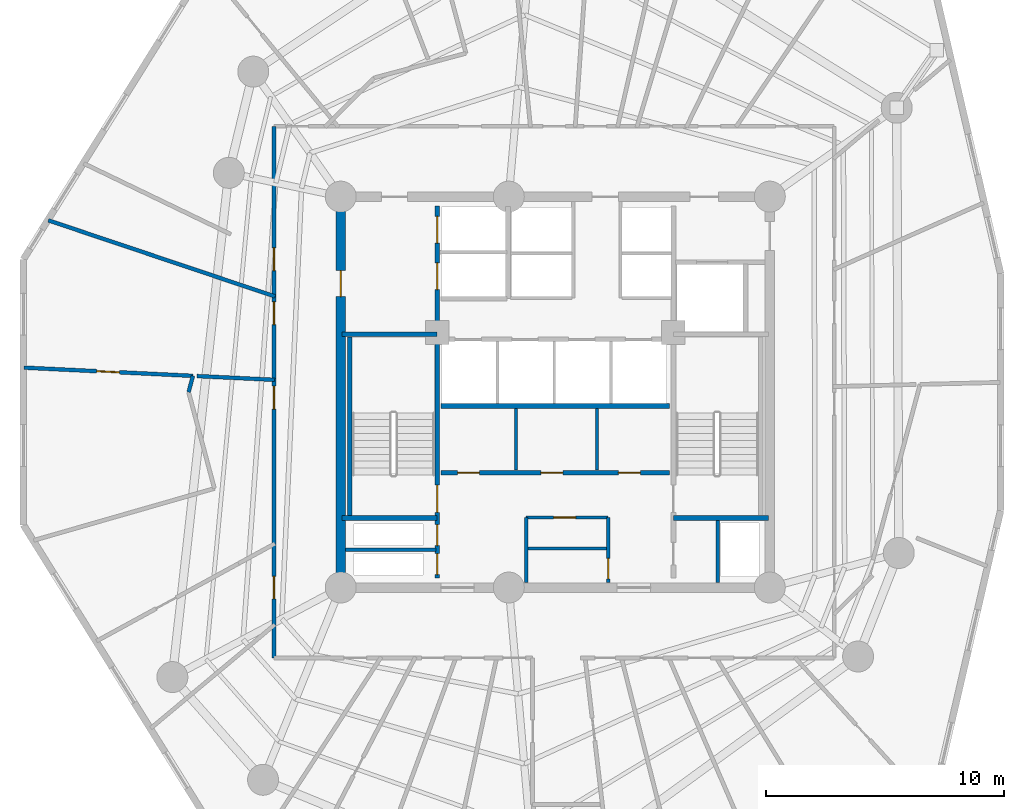
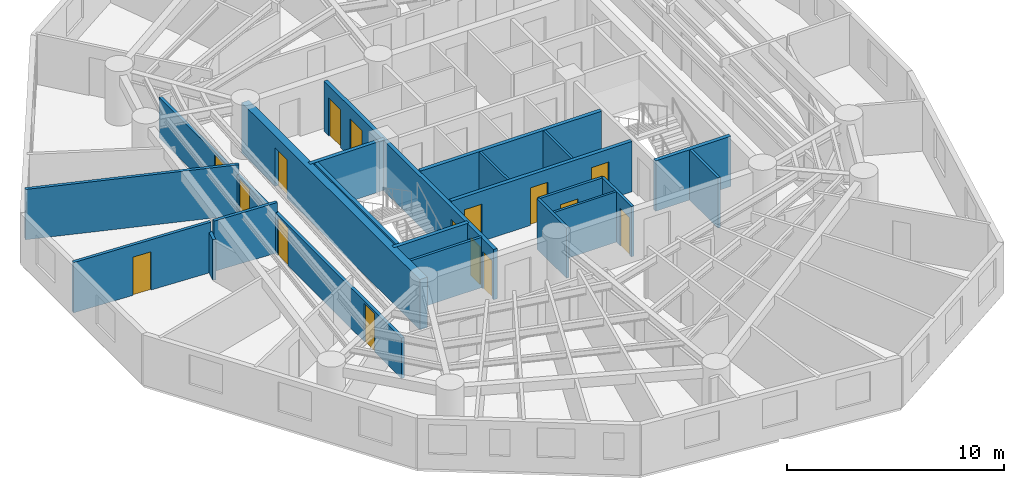
# One storey, part 4 of 8: 21 walls, 16 doors, 16 openings.
"""IFC4 building model written with IfcOpenShell, lengths in metres."""

from ifc_helpers import new_model, si_unit, direction, frame, frame_2d, origin, origin_with_axes, place, context, subcontext, project, spatial, rectangle, extrude, source, transform, mapped, material, layer, layer_set, type_object, element, fill, save


model = new_model("IFC4")

# Units and contexts
model_context = context("Model", 3, precision=1e-05, world=origin(), true_north=direction((0.0, 1.0)))
body_context = subcontext(model_context, "Body", "Model", "MODEL_VIEW")
ifc_project = project(units=[si_unit("LENGTHUNIT", "METRE"), si_unit("AREAUNIT", "SQUARE_METRE"), si_unit("VOLUMEUNIT", "CUBIC_METRE"), si_unit("PLANEANGLEUNIT", "RADIAN"), si_unit("MASSUNIT", "GRAM", prefix="KILO")], contexts=[model_context])

# Site, building, storey
site_placement = place(None, origin())
site = spatial("IfcSite", under=ifc_project, at=site_placement, CompositionType="ELEMENT")
building_placement = place(site_placement, origin())
building = spatial("IfcBuilding", under=site, at=building_placement, Name="Karkom Vertical University and Central Library", CompositionType="ELEMENT")
storey_placement = place(building_placement, frame((0.0, 0.0, 187.050048828125)))
storey = spatial("IfcBuildingStorey", under=building, at=storey_placement, Name="L54", CompositionType="ELEMENT", Elevation=187.050048828125)

# Wall, openings, doors
ifc_material_1 = material(Name="Insulated metal-stud drywall 160mm", Category="gypsum")
ifc_layer_1 = layer(ifc_material_1, 0.159912109375)
ifc_layer_set_1 = layer_set([ifc_layer_1], Name="Insulated metal-stud drywall 160mm")
wall_type_1 = type_object("IfcWallType", Name="INT-WL-COR-160", PredefinedType="PARTITIONING", material=ifc_layer_set_1)
wall_1_placement = place(storey_placement, frame((16.699951171875, 15.35009765625, 0.0), z_axis=(0.0, 0.0, 1.0), x_axis=(0.0, 1.0, 0.0)))
wall_1 = element("IfcWall", 1, at=wall_1_placement, inside=storey, type_object=wall_type_1, Name="Level 54 Interior Partition Wall L54-CORW-CW-002", PredefinedType="PARTITIONING", context=body_context, shape_type="SweptSolid", body=[
    extrude(rectangle(XDim=22.2998046875, YDim=0.159912109375, at=frame_2d((11.14990234375, 0.0))), origin(), (0.0, 0.0, 1.0), 2.27490234375),
])
opening_1_placement = place(wall_1_placement, frame((10.43505859375, 0.0, 0.0)))
opening_1 = element("IfcOpeningElement", 2, at=opening_1_placement, cuts=wall_1, Name="Opening FD-RM2", PredefinedType="OPENING", context=body_context, shape_type="SweptSolid", body=[
    extrude(rectangle(XDim=0.9599609375, YDim=2.14990234375, at=frame_2d((0.47998046875, 1.074951171875))), frame((0.0, 0.08984375, 0.0), z_axis=(0.0, -1.0, 0.0), x_axis=(1.0, 0.0, 0.0)), (0.0, 0.0, 1.0), 0.179931640625),
])
opening_2_placement = place(wall_1_placement, frame((2.469482421875, 0.0, 0.0)))
opening_2 = element("IfcOpeningElement", 3, at=opening_2_placement, cuts=wall_1, Name="Opening D-RM1", PredefinedType="OPENING", context=body_context, shape_type="SweptSolid", body=[
    extrude(rectangle(XDim=0.949951171875, YDim=2.14990234375, at=frame_2d((0.47509765625, 1.074951171875))), frame((0.0, 0.08984375, 0.0), z_axis=(0.0, -1.0, 0.0), x_axis=(1.0, 0.0, 0.0)), (0.0, 0.0, 1.0), 0.179931640625),
])
opening_3_placement = place(wall_1_placement, frame((16.25, 0.0, 0.0)))
opening_3 = element("IfcOpeningElement", 4, at=opening_3_placement, cuts=wall_1, Name="Opening D-RM1", PredefinedType="OPENING", context=body_context, shape_type="SweptSolid", body=[
    extrude(rectangle(XDim=0.949951171875, YDim=2.14990234375, at=frame_2d((0.47509765625, 1.074951171875))), frame((0.0, 0.08984375, 0.0), z_axis=(0.0, -1.0, 0.0), x_axis=(1.0, 0.0, 0.0)), (0.0, 0.0, 1.0), 0.179931640625),
])
opening_4_placement = place(wall_1_placement, frame((13.97998046875, 0.0, 0.0)))
opening_4 = element("IfcOpeningElement", 5, at=opening_4_placement, cuts=wall_1, Name="Opening D-RM1", PredefinedType="OPENING", context=body_context, shape_type="SweptSolid", body=[
    extrude(rectangle(XDim=0.949951171875, YDim=2.14990234375, at=frame_2d((0.47509765625, 1.074951171875))), frame((0.0, 0.08984375, 0.0), z_axis=(0.0, -1.0, 0.0), x_axis=(1.0, 0.0, 0.0)), (0.0, 0.0, 1.0), 0.179931640625),
])
ifc_material_2 = material(Name="Fire-rated oak veneer door", Category="wood")
door_type_1 = type_object("IfcDoorType", Name="INT-DR-FRM2", OperationType="NOTDEFINED", PredefinedType="DOOR", material=ifc_material_2)
shared_shape_1 = source(origin_with_axes(), body_context, "Body", "SweptSolid", [
    extrude(rectangle(XDim=0.9599609375, YDim=2.14990234375, at=frame_2d((0.47998046875, 1.074951171875))), frame((0.0, 0.02490234375, 0.0), z_axis=(0.0, -1.0, 0.0), x_axis=(1.0, 0.0, 0.0)), (0.0, 0.0, 1.0), 0.050048828125),
])
door_1_placement = place(opening_1_placement, origin())
door_1 = element("IfcDoor", 6, at=door_1_placement, inside=storey, type_object=door_type_1, Name="Level 54 Room Entry Door 010", OperationType="SINGLE_SWING_LEFT", OverallHeight=2.14990234375, OverallWidth=0.9599609375, PredefinedType="DOOR", context=body_context, shape_type="MappedRepresentation", body=[
    mapped(shared_shape_1, transform((0.0, 0.0, 0.0), scale=1.0)),
])
fill(opening_1, door_1)
ifc_material_3 = material(Name="Solid-core oak veneer door", Category="wood")
door_type_2 = type_object("IfcDoorType", Name="INT-DR-RM1", OperationType="NOTDEFINED", PredefinedType="DOOR", material=ifc_material_3)
shared_shape_2 = source(origin_with_axes(), body_context, "Body", "SweptSolid", [
    extrude(rectangle(XDim=0.949951171875, YDim=2.14990234375, at=frame_2d((0.47509765625, 1.074951171875))), frame((0.0, 0.02490234375, 0.0), z_axis=(0.0, -1.0, 0.0), x_axis=(1.0, 0.0, 0.0)), (0.0, 0.0, 1.0), 0.050048828125),
])
door_2_placement = place(opening_2_placement, origin())
door_2 = element("IfcDoor", 7, at=door_2_placement, inside=storey, type_object=door_type_2, Name="Level 54 Room Entry Door 030", OperationType="SINGLE_SWING_RIGHT", OverallHeight=2.14990234375, OverallWidth=0.949951171875, PredefinedType="DOOR", context=body_context, shape_type="MappedRepresentation", body=[
    mapped(shared_shape_2, transform((0.0, 0.0, 0.0), scale=1.0)),
])
fill(opening_2, door_2)
door_3_placement = place(opening_3_placement, origin())
door_3 = element("IfcDoor", 8, at=door_3_placement, inside=storey, type_object=door_type_2, Name="Level 54 Room Entry Door 290", OperationType="SINGLE_SWING_RIGHT", OverallHeight=2.14990234375, OverallWidth=0.949951171875, PredefinedType="DOOR", context=body_context, shape_type="MappedRepresentation", body=[
    mapped(shared_shape_2, transform((0.0, 0.0, 0.0), scale=1.0)),
])
fill(opening_3, door_3)
door_4_placement = place(opening_4_placement, origin())
door_4 = element("IfcDoor", 9, at=door_4_placement, inside=storey, type_object=door_type_2, Name="Level 54 Room Entry Door 300", OperationType="SINGLE_SWING_LEFT", OverallHeight=2.14990234375, OverallWidth=0.949951171875, PredefinedType="DOOR", context=body_context, shape_type="MappedRepresentation", body=[
    mapped(shared_shape_2, transform((0.0, 0.0, 0.0), scale=1.0)),
])
fill(opening_4, door_4)

# Wall
wall_2_placement = place(storey_placement, frame((16.74267578125, 30.510986328125, 0.0), z_axis=(0.0, 0.0, 1.0), x_axis=(-0.947987402287, 0.31830784644, 0.0)))
element("IfcWall", 10, at=wall_2_placement, inside=storey, type_object=wall_type_1, Name="Level 54 Interior Partition Wall L54-PW-043", PredefinedType="PARTITIONING", context=body_context, shape_type="SweptSolid", body=[
    extrude(rectangle(XDim=10.031494140625, YDim=0.159912109375, at=frame_2d((5.015625, 0.0))), origin(), (0.0, 0.0, 1.0), 2.824951171875),
])

# Wall, opening, door
wall_3_placement = place(storey_placement, frame((6.208984375, 27.525146484375, 0.0), z_axis=(0.0, 0.0, 1.0), x_axis=(0.998816837253, -0.048630500925, 0.0)))
wall_3 = element("IfcWall", 11, at=wall_3_placement, inside=storey, type_object=wall_type_1, Name="Level 54 Interior Partition Wall L54-PW-004", PredefinedType="PARTITIONING", context=body_context, shape_type="SweptSolid", body=[
    extrude(rectangle(XDim=7.0986328125, YDim=0.159912109375, at=frame_2d((3.54931640625, 0.0))), origin(), (0.0, 0.0, 1.0), 2.824951171875),
])
opening_5_placement = place(wall_3_placement, frame((3.056884765625, 0.0, 0.0)))
opening_5 = element("IfcOpeningElement", 12, at=opening_5_placement, cuts=wall_3, Name="Opening D-RM1", PredefinedType="OPENING", context=body_context, shape_type="SweptSolid", body=[
    extrude(rectangle(XDim=0.949951171875, YDim=2.14990234375, at=frame_2d((0.47509765625, 1.074951171875))), frame((0.0, 0.08984375, 0.0), z_axis=(0.0, -1.0, 0.0), x_axis=(1.0, 0.0, 0.0)), (0.0, 0.0, 1.0), 0.179931640625),
])
door_5_placement = place(opening_5_placement, origin())
door_5 = element("IfcDoor", 13, at=door_5_placement, inside=storey, type_object=door_type_2, Name="Level 54 Room Entry Door 000", OperationType="SINGLE_SWING_RIGHT", OverallHeight=2.14990234375, OverallWidth=0.949951171875, PredefinedType="DOOR", context=body_context, shape_type="MappedRepresentation", body=[
    mapped(shared_shape_2, transform((0.0, 0.0, 0.0), scale=1.0)),
])
fill(opening_5, door_5)

# Walls
wall_4_placement = place(storey_placement, frame((13.462890625, 27.171875, 0.0), z_axis=(0.0, 0.0, 1.0), x_axis=(0.998818809561, -0.048589974968, 0.0)))
element("IfcWall", 14, at=wall_4_placement, inside=storey, type_object=wall_type_1, Name="Level 54 Interior Partition Wall L54-PW-006", PredefinedType="PARTITIONING", context=body_context, shape_type="SweptSolid", body=[
    extrude(rectangle(XDim=3.27099609375, YDim=0.159912109375, at=frame_2d((1.635498046875, 0.0))), origin(), (0.0, 0.0, 1.0), 2.824951171875),
])
wall_5_placement = place(storey_placement, frame((13.29931640625, 27.179931640625, 0.0), z_axis=(0.0, 0.0, 1.0), x_axis=(-0.258741864149, -0.965946503558, 0.0)))
element("IfcWall", 15, at=wall_5_placement, inside=storey, type_object=wall_type_1, Name="Level 54 Interior Partition Wall L54-PW-001", PredefinedType="PARTITIONING", context=body_context, shape_type="SweptSolid", body=[
    extrude(rectangle(XDim=0.703857421875, YDim=0.159912109375, at=frame_2d((0.35205078125, 0.0))), origin(), (0.0, 0.0, 1.0), 2.27490234375),
])
ifc_material_4 = material(Name="Moisture-resistant drywall 120mm", Category="gypsum")
ifc_layer_2 = layer(ifc_material_4, 0.1201171875)
ifc_layer_set_2 = layer_set([ifc_layer_2], Name="Moisture-resistant drywall 120mm")
wall_type_2 = type_object("IfcWallType", Name="INT-WL-INT-120", PredefinedType="PARTITIONING", material=ifc_layer_set_2)
wall_6_placement = place(storey_placement, frame((27.280029296875, 19.93994140625, 0.0), z_axis=(0.0, 0.0, 1.0), x_axis=(1.0, 0.0, 0.0)))
element("IfcWall", 16, at=wall_6_placement, inside=storey, type_object=wall_type_2, Name="Level 54 Interior Partition Wall L54-CW-K4-DIV", PredefinedType="PARTITIONING", context=body_context, shape_type="SweptSolid", body=[
    extrude(rectangle(XDim=3.43994140625, YDim=0.1201171875, at=frame_2d((1.719970703125, 0.0))), origin(), (0.0, 0.0, 1.0), 2.824951171875),
])
for number, where, z_axis, x_axis, name in (
    (17, (26.85009765625, 23.22705078125, 0.0), (0.0, 0.0, 1.0), (0.0, 1.0, 0.0), "Level 54 Interior Partition Wall L54-CW-B1-K4A"),
    (18, (30.25, 23.22705078125, 0.0), (0.0, 0.0, 1.0), (0.0, 1.0, 0.0), "Level 54 Interior Partition Wall L54-CW-B1-K4B"),
):
    element("IfcWall", number, at=place(storey_placement, frame(where, z_axis=z_axis, x_axis=x_axis)), inside=storey, type_object=wall_type_2, Name=name, PredefinedType="PARTITIONING", context=body_context, shape_type="SweptSolid", body=[
        extrude(rectangle(XDim=2.586669921875, YDim=0.1201171875, at=frame_2d((1.29345703125, 0.0))), origin(), (0.0, 0.0, 1.0), 2.824951171875),
    ])

# Wall, opening, door
ifc_material_5 = material(Name="Metal-stud gypsum partition 140mm", Category="gypsum")
ifc_layer_3 = layer(ifc_material_5, 0.139892578125)
ifc_layer_set_3 = layer_set([ifc_layer_3], Name="Metal-stud gypsum partition 140mm")
wall_type_3 = type_object("IfcWallType", Name="INT-WL-SUB-140", PredefinedType="PARTITIONING", material=ifc_layer_set_3)
wall_7_placement = place(storey_placement, frame((27.280029296875, 21.239990234375, 0.0), z_axis=(0.0, 0.0, 1.0), x_axis=(1.0, 0.0, 0.0)))
wall_7 = element("IfcWall", 19, at=wall_7_placement, inside=storey, type_object=wall_type_3, Name="Level 54 Interior Partition Wall L54-CW-KBAY-N", PredefinedType="PARTITIONING", context=body_context, shape_type="SweptSolid", body=[
    extrude(rectangle(XDim=3.43994140625, YDim=0.139892578125, at=frame_2d((1.719970703125, 0.0))), origin(), (0.0, 0.0, 1.0), 2.824951171875),
])
opening_6_placement = place(wall_7_placement, frame((1.14990234375, 0.0, 0.0)))
opening_6 = element("IfcOpeningElement", 20, at=opening_6_placement, cuts=wall_7, Name="Opening D-SVC1", PredefinedType="OPENING", context=body_context, shape_type="SweptSolid", body=[
    extrude(rectangle(XDim=0.919921875, YDim=2.10009765625, at=frame_2d((0.4599609375, 1.050048828125))), frame((0.0, 0.080078125, 0.0), z_axis=(0.0, -1.0, 0.0), x_axis=(1.0, 0.0, 0.0)), (0.0, 0.0, 1.0), 0.159912109375),
])
ifc_material_6 = material(Name="Painted timber service door", Category="wood")
door_type_3 = type_object("IfcDoorType", Name="INT-DR-SVC1", OperationType="NOTDEFINED", PredefinedType="DOOR", material=ifc_material_6)
shared_shape_3 = source(origin_with_axes(), body_context, "Body", "SweptSolid", [
    extrude(rectangle(XDim=0.919921875, YDim=2.10009765625, at=frame_2d((0.4599609375, 1.050048828125))), frame((0.0, 0.02490234375, 0.0), z_axis=(0.0, -1.0, 0.0), x_axis=(1.0, 0.0, 0.0)), (0.0, 0.0, 1.0), 0.050048828125),
])
door_6_placement = place(opening_6_placement, origin())
door_6 = element("IfcDoor", 21, at=door_6_placement, inside=storey, type_object=door_type_3, Name="Level 54 Valve Cupboard Door", OperationType="SINGLE_SWING_RIGHT", OverallHeight=2.10009765625, OverallWidth=0.919921875, PredefinedType="DOOR", context=body_context, shape_type="MappedRepresentation", body=[
    mapped(shared_shape_3, transform((0.0, 0.0, 0.0), scale=1.0)),
])
fill(opening_6, door_6)

# Wall
wall_8_placement = place(storey_placement, frame((27.280029296875, 18.507080078125, 0.0), z_axis=(0.0, 0.0, 1.0), x_axis=(0.0, 1.0, 0.0)))
element("IfcWall", 22, at=wall_8_placement, inside=storey, type_object=wall_type_3, Name="Level 54 Interior Partition Wall L54-CW-KBAY-W", PredefinedType="PARTITIONING", context=body_context, shape_type="SweptSolid", body=[
    extrude(rectangle(XDim=2.73291015625, YDim=0.139892578125, at=frame_2d((1.366455078125, 0.0))), origin(), (0.0, 0.0, 1.0), 2.824951171875),
])

# Wall, opening, door
wall_9_placement = place(storey_placement, frame((30.719970703125, 18.507080078125, 0.0), z_axis=(0.0, 0.0, 1.0), x_axis=(0.0, 1.0, 0.0)))
wall_9 = element("IfcWall", 23, at=wall_9_placement, inside=storey, type_object=wall_type_3, Name="Level 54 Interior Partition Wall L54-CW-KBAY-E", PredefinedType="PARTITIONING", context=body_context, shape_type="SweptSolid", body=[
    extrude(rectangle(XDim=2.73291015625, YDim=0.139892578125, at=frame_2d((1.366455078125, 0.0))), origin(), (0.0, 0.0, 1.0), 2.824951171875),
])
opening_7_placement = place(wall_9_placement, frame((0.159912109375, 0.0, 0.0)))
opening_7 = element("IfcOpeningElement", 24, at=opening_7_placement, cuts=wall_9, Name="Opening FD-BTH1", PredefinedType="OPENING", context=body_context, shape_type="SweptSolid", body=[
    extrude(rectangle(XDim=0.860107421875, YDim=2.10009765625, at=frame_2d((0.43017578125, 1.050048828125))), frame((0.0, 0.080078125, 0.0), z_axis=(0.0, -1.0, 0.0), x_axis=(1.0, 0.0, 0.0)), (0.0, 0.0, 1.0), 0.159912109375),
])
ifc_material_7 = material(Name="Fire-rated moisture-resistant oak door", Category="wood")
door_type_4 = type_object("IfcDoorType", Name="INT-DR-FBTH1", OperationType="NOTDEFINED", PredefinedType="DOOR", material=ifc_material_7)
shared_shape_4 = source(origin_with_axes(), body_context, "Body", "SweptSolid", [
    extrude(rectangle(XDim=0.860107421875, YDim=2.10009765625, at=frame_2d((0.43017578125, 1.050048828125))), frame((0.0, 0.02490234375, 0.0), z_axis=(0.0, -1.0, 0.0), x_axis=(1.0, 0.0, 0.0)), (0.0, 0.0, 1.0), 0.050048828125),
])
door_7_placement = place(opening_7_placement, origin())
door_7 = element("IfcDoor", 25, at=door_7_placement, inside=storey, type_object=door_type_4, Name="Level 54 Metering Cupboard Door", OperationType="SINGLE_SWING_LEFT", OverallHeight=2.10009765625, OverallWidth=0.860107421875, PredefinedType="DOOR", context=body_context, shape_type="MappedRepresentation", body=[
    mapped(shared_shape_4, transform((0.0, 0.0, 0.0), scale=1.0)),
])
fill(opening_7, door_7)

# Walls
ifc_layer_4 = layer(ifc_material_5, 0.139892578125)
ifc_layer_set_4 = layer_set([ifc_layer_4], Name="Metal-stud gypsum partition 140mm")
wall_type_4 = type_object("IfcWallType", Name="INT-WL-SUB-140H", PredefinedType="PARTITIONING", material=ifc_layer_set_4)
wall_10_placement = place(storey_placement, frame((19.70703125, 19.889892578125, 0.0), z_axis=(0.0, 0.0, 1.0), x_axis=(1.0, 0.0, 0.0)))
element("IfcWall", 26, at=wall_10_placement, inside=storey, type_object=wall_type_4, Name="Level 54 Interior Partition Wall L54-CW-RIS-W", PredefinedType="PARTITIONING", context=body_context, shape_type="SweptSolid", body=[
    extrude(rectangle(XDim=3.789794921875, YDim=0.139892578125, at=frame_2d((1.89501953125, 0.0))), origin(), (0.0, 0.0, 1.0), 2.824951171875),
])
wall_11_placement = place(storey_placement, frame((35.320068359375, 18.507080078125, 0.0), z_axis=(0.0, 0.0, 1.0), x_axis=(0.0, 1.0, 0.0)))
element("IfcWall", 27, at=wall_11_placement, inside=storey, type_object=wall_type_4, Name="Level 54 Interior Partition Wall L54-CW-RIS-E", PredefinedType="PARTITIONING", context=body_context, shape_type="SweptSolid", body=[
    extrude(rectangle(XDim=2.603759765625, YDim=0.139892578125, at=frame_2d((1.3017578125, 0.0))), origin(), (0.0, 0.0, 1.0), 2.824951171875),
])

# Wall, opening, door
ifc_material_8 = material(Name="Concrete C50/60", Category="concrete")
ifc_layer_5 = layer(ifc_material_8, 0.39990234375)
ifc_layer_set_5 = layer_set([ifc_layer_5], Name="Concrete C50/60")
wall_type_5 = type_object("IfcWallType", Name="STR-WL-CW-400", PredefinedType="SHEAR", material=ifc_layer_set_5)
wall_12_placement = place(storey_placement, frame((19.5, 34.699951171875, 0.0), z_axis=(0.0, 0.0, 1.0), x_axis=(0.0, -1.0, 0.0)))
wall_12 = element("IfcWall", 28, at=wall_12_placement, inside=storey, type_object=wall_type_5, Name="Level 54 Central Core Shear Wall WW", PredefinedType="SHEAR", context=body_context, shape_type="SweptSolid", body=[
    extrude(rectangle(XDim=16.39990234375, YDim=0.39990234375, at=frame_2d((8.199951171875, 0.0))), origin(), (0.0, 0.0, 1.0), 2.824951171875),
])
opening_8_placement = place(wall_12_placement, frame((3.10009765625, 0.0, 0.0)))
opening_8 = element("IfcOpeningElement", 29, at=opening_8_placement, cuts=wall_12, Name="Opening FD-FFL", PredefinedType="OPENING", context=body_context, shape_type="SweptSolid", body=[
    extrude(rectangle(XDim=1.10009765625, YDim=2.14990234375, at=frame_2d((0.550048828125, 1.074951171875))), frame((0.0, 0.2099609375, 0.0), z_axis=(0.0, -1.0, 0.0), x_axis=(1.0, 0.0, 0.0)), (0.0, 0.0, 1.0), 0.419921875),
])
ifc_material_9 = material(Name="Painted steel smoke-seal fire door", Category="steel")
door_type_5 = type_object("IfcDoorType", Name="INT-DR-FFL", OperationType="NOTDEFINED", PredefinedType="DOOR", material=ifc_material_9)
shared_shape_5 = source(origin_with_axes(), body_context, "Body", "SweptSolid", [
    extrude(rectangle(XDim=1.10009765625, YDim=2.14990234375, at=frame_2d((0.550048828125, 1.074951171875))), frame((0.0, 0.02490234375, 0.0), z_axis=(0.0, -1.0, 0.0), x_axis=(1.0, 0.0, 0.0)), (0.0, 0.0, 1.0), 0.050048828125),
])
door_8_placement = place(opening_8_placement, origin())
door_8 = element("IfcDoor", 30, at=door_8_placement, inside=storey, type_object=door_type_5, Name="Level 54 West Corridor Firefighting Lobby Door", OperationType="SINGLE_SWING_LEFT", OverallHeight=2.14990234375, OverallWidth=1.10009765625, PredefinedType="DOOR", context=body_context, shape_type="MappedRepresentation", body=[
    mapped(shared_shape_5, transform((0.0, 0.0, 0.0), scale=1.0)),
])
fill(opening_8, door_8)

# Wall, openings, doors
ifc_material_10 = material(Name="Concrete C45/55", Category="concrete")
ifc_layer_6 = layer(ifc_material_10, 0.199951171875)
ifc_layer_set_6 = layer_set([ifc_layer_6], Name="Concrete C45/55")
wall_type_6 = type_object("IfcWallType", Name="STR-WL-ST-200", PredefinedType="SHEAR", material=ifc_layer_set_6)
wall_13_placement = place(storey_placement, frame((23.544921875, 18.699951171875, 0.0), z_axis=(0.0, 0.0, 1.0), x_axis=(0.0, 1.0, 0.0)))
wall_13 = element("IfcWall", 31, at=wall_13_placement, inside=storey, type_object=wall_type_6, Name="Level 54 Core Shaft Wall L54-CW-ST1-E", PredefinedType="SHEAR", context=body_context, shape_type="SweptSolid", body=[
    extrude(rectangle(XDim=15.60009765625, YDim=0.199951171875, at=frame_2d((7.800048828125, 0.0))), origin(), (0.0, 0.0, 1.0), 2.824951171875),
])
opening_9_placement = place(wall_13_placement, frame((2.75, 0.0, 0.0)))
opening_9 = element("IfcOpeningElement", 32, at=opening_9_placement, cuts=wall_13, Name="Opening FD-ST1", PredefinedType="OPENING", context=body_context, shape_type="SweptSolid", body=[
    extrude(rectangle(XDim=1.14990234375, YDim=2.14990234375, at=frame_2d((0.574951171875, 1.074951171875))), frame((0.0, 0.10986328125, 0.0), z_axis=(0.0, -1.0, 0.0), x_axis=(1.0, 0.0, 0.0)), (0.0, 0.0, 1.0), 0.219970703125),
])
opening_10_placement = place(wall_13_placement, frame((0.139892578125, 0.0, 0.0)))
opening_10 = element("IfcOpeningElement", 33, at=opening_10_placement, cuts=wall_13, Name="Opening FD-RIS", PredefinedType="OPENING", context=body_context, shape_type="SweptSolid", body=[
    extrude(rectangle(XDim=0.8798828125, YDim=2.10009765625, at=frame_2d((0.43994140625, 1.050048828125))), frame((0.0, 0.10986328125, 0.0), z_axis=(0.0, -1.0, 0.0), x_axis=(1.0, 0.0, 0.0)), (0.0, 0.0, 1.0), 0.219970703125),
])
opening_11_placement = place(wall_13_placement, frame((1.360107421875, 0.0, 0.0)))
opening_11 = element("IfcOpeningElement", 34, at=opening_11_placement, cuts=wall_13, Name="Opening FD-RIS", PredefinedType="OPENING", context=body_context, shape_type="SweptSolid", body=[
    extrude(rectangle(XDim=0.8798828125, YDim=2.10009765625, at=frame_2d((0.43994140625, 1.050048828125))), frame((0.0, 0.10986328125, 0.0), z_axis=(0.0, -1.0, 0.0), x_axis=(1.0, 0.0, 0.0)), (0.0, 0.0, 1.0), 0.219970703125),
])
opening_12_placement = place(wall_13_placement, frame((12.10009765625, 0.0, 0.0)))
opening_12 = element("IfcOpeningElement", 35, at=opening_12_placement, cuts=wall_13, Name="Opening LD-FFL", PredefinedType="OPENING", context=body_context, shape_type="SweptSolid", body=[
    extrude(rectangle(XDim=1.1201171875, YDim=2.14990234375, at=frame_2d((0.56005859375, 1.074951171875))), frame((0.0, 0.10986328125, 0.0), z_axis=(0.0, -1.0, 0.0), x_axis=(1.0, 0.0, 0.0)), (0.0, 0.0, 1.0), 0.219970703125),
])
opening_13_placement = place(wall_13_placement, frame((14.050048828125, 0.0, 0.0)))
opening_13 = element("IfcOpeningElement", 36, at=opening_13_placement, cuts=wall_13, Name="Opening LD-FFL", PredefinedType="OPENING", context=body_context, shape_type="SweptSolid", body=[
    extrude(rectangle(XDim=1.1201171875, YDim=2.14990234375, at=frame_2d((0.56005859375, 1.074951171875))), frame((0.0, 0.10986328125, 0.0), z_axis=(0.0, -1.0, 0.0), x_axis=(1.0, 0.0, 0.0)), (0.0, 0.0, 1.0), 0.219970703125),
])
ifc_material_11 = material(Name="Painted steel acoustic fire door", Category="steel")
door_type_6 = type_object("IfcDoorType", Name="INT-DR-ST1", OperationType="NOTDEFINED", PredefinedType="DOOR", material=ifc_material_11)
shared_shape_6 = source(origin_with_axes(), body_context, "Body", "SweptSolid", [
    extrude(rectangle(XDim=1.14990234375, YDim=2.14990234375, at=frame_2d((0.574951171875, 1.074951171875))), frame((0.0, 0.02490234375, 0.0), z_axis=(0.0, -1.0, 0.0), x_axis=(1.0, 0.0, 0.0)), (0.0, 0.0, 1.0), 0.050048828125),
])
door_9_placement = place(opening_9_placement, origin())
door_9 = element("IfcDoor", 37, at=door_9_placement, inside=storey, type_object=door_type_6, Name="Level 54 Stair ST-1 Fire Door", OperationType="SINGLE_SWING_RIGHT", OverallHeight=2.14990234375, OverallWidth=1.14990234375, PredefinedType="DOOR", context=body_context, shape_type="MappedRepresentation", body=[
    mapped(shared_shape_6, transform((0.0, 0.0, 0.0), scale=1.0)),
])
fill(opening_9, door_9)
ifc_material_12 = material(Name="Painted steel riser access door", Category="steel")
door_type_7 = type_object("IfcDoorType", Name="INT-DR-RIS", OperationType="NOTDEFINED", PredefinedType="DOOR", material=ifc_material_12)
shared_shape_7 = source(origin_with_axes(), body_context, "Body", "SweptSolid", [
    extrude(rectangle(XDim=0.8798828125, YDim=2.10009765625, at=frame_2d((0.43994140625, 1.050048828125))), frame((0.0, 0.02490234375, 0.0), z_axis=(0.0, -1.0, 0.0), x_axis=(1.0, 0.0, 0.0)), (0.0, 0.0, 1.0), 0.050048828125),
])
door_10_placement = place(opening_10_placement, origin())
door_10 = element("IfcDoor", 38, at=door_10_placement, inside=storey, type_object=door_type_7, Name="Level 54 Electrical Riser Access Door", OperationType="SINGLE_SWING_RIGHT", OverallHeight=2.10009765625, OverallWidth=0.8798828125, PredefinedType="DOOR", context=body_context, shape_type="MappedRepresentation", body=[
    mapped(shared_shape_7, transform((0.0, 0.0, 0.0), scale=1.0)),
])
fill(opening_10, door_10)
door_11_placement = place(opening_11_placement, origin())
door_11 = element("IfcDoor", 39, at=door_11_placement, inside=storey, type_object=door_type_7, Name="Level 54 Telecom Riser Access Door", OperationType="SINGLE_SWING_LEFT", OverallHeight=2.10009765625, OverallWidth=0.8798828125, PredefinedType="DOOR", context=body_context, shape_type="MappedRepresentation", body=[
    mapped(shared_shape_7, transform((0.0, 0.0, 0.0), scale=1.0)),
])
fill(opening_11, door_11)
ifc_material_13 = material(Name="Fire-rated stainless-steel landing door", Category="steel")
door_type_8 = type_object("IfcDoorType", Name="INT-DR-LD-FFL", OperationType="SLIDING_TO_LEFT", PredefinedType="DOOR", material=ifc_material_13)
shared_shape_8 = source(origin_with_axes(), body_context, "Body", "SweptSolid", [
    extrude(rectangle(XDim=1.1201171875, YDim=2.14990234375, at=frame_2d((0.56005859375, 1.074951171875))), frame((0.0, 0.02490234375, 0.0), z_axis=(0.0, -1.0, 0.0), x_axis=(1.0, 0.0, 0.0)), (0.0, 0.0, 1.0), 0.050048828125),
])
door_12_placement = place(opening_12_placement, origin())
door_12 = element("IfcDoor", 40, at=door_12_placement, inside=storey, type_object=door_type_8, Name="Level 54 Firefighting Lift FFL-1 Landing Door", OperationType="SLIDING_TO_LEFT", OverallHeight=2.14990234375, OverallWidth=1.1201171875, PredefinedType="DOOR", context=body_context, shape_type="MappedRepresentation", body=[
    mapped(shared_shape_8, transform((0.0, 0.0, 0.0), scale=1.0)),
])
fill(opening_12, door_12)
door_13_placement = place(opening_13_placement, origin())
door_13 = element("IfcDoor", 41, at=door_13_placement, inside=storey, type_object=door_type_8, Name="Level 54 Firefighting Lift FFL-2 Landing Door", OperationType="SLIDING_TO_RIGHT", OverallHeight=2.14990234375, OverallWidth=1.1201171875, PredefinedType="DOOR", context=body_context, shape_type="MappedRepresentation", body=[
    mapped(shared_shape_8, transform((0.0, 0.0, 0.0), scale=1.0)),
])
fill(opening_13, door_13)

wall_14_placement = place(storey_placement, frame((23.699951171875, 23.1201171875, 0.0), z_axis=(0.0, 0.0, 1.0), x_axis=(1.0, 0.0, 0.0)))
wall_14 = element("IfcWall", 42, at=wall_14_placement, inside=storey, type_object=wall_type_6, Name="Level 54 Core Shaft Wall L54-CW-B1-S", PredefinedType="SHEAR", context=body_context, shape_type="SweptSolid", body=[
    extrude(rectangle(XDim=9.60009765625, YDim=0.199951171875, at=frame_2d((4.800048828125, 0.0))), origin(), (0.0, 0.0, 1.0), 2.824951171875),
])
opening_14_placement = place(wall_14_placement, frame((0.699951171875, 0.0, 0.0)))
opening_14 = element("IfcOpeningElement", 43, at=opening_14_placement, cuts=wall_14, Name="Opening D-SVC1", PredefinedType="OPENING", context=body_context, shape_type="SweptSolid", body=[
    extrude(rectangle(XDim=0.919921875, YDim=2.10009765625, at=frame_2d((0.4599609375, 1.050048828125))), frame((0.0, 0.10986328125, 0.0), z_axis=(0.0, -1.0, 0.0), x_axis=(1.0, 0.0, 0.0)), (0.0, 0.0, 1.0), 0.219970703125),
])
opening_15_placement = place(wall_14_placement, frame((4.199951171875, 0.0, 0.0)))
opening_15 = element("IfcOpeningElement", 44, at=opening_15_placement, cuts=wall_14, Name="Opening D-SVC1", PredefinedType="OPENING", context=body_context, shape_type="SweptSolid", body=[
    extrude(rectangle(XDim=0.919921875, YDim=2.10009765625, at=frame_2d((0.4599609375, 1.050048828125))), frame((0.0, 0.10986328125, 0.0), z_axis=(0.0, -1.0, 0.0), x_axis=(1.0, 0.0, 0.0)), (0.0, 0.0, 1.0), 0.219970703125),
])
opening_16_placement = place(wall_14_placement, frame((7.449951171875, 0.0, 0.0)))
opening_16 = element("IfcOpeningElement", 45, at=opening_16_placement, cuts=wall_14, Name="Opening D-SVC1", PredefinedType="OPENING", context=body_context, shape_type="SweptSolid", body=[
    extrude(rectangle(XDim=0.919921875, YDim=2.10009765625, at=frame_2d((0.4599609375, 1.050048828125))), frame((0.0, 0.10986328125, 0.0), z_axis=(0.0, -1.0, 0.0), x_axis=(1.0, 0.0, 0.0)), (0.0, 0.0, 1.0), 0.219970703125),
])
door_14_placement = place(opening_14_placement, origin())
door_14 = element("IfcDoor", 46, at=door_14_placement, inside=storey, type_object=door_type_3, Name="Level 54 B1 Store A Door", OperationType="SINGLE_SWING_LEFT", OverallHeight=2.10009765625, OverallWidth=0.919921875, PredefinedType="DOOR", context=body_context, shape_type="MappedRepresentation", body=[
    mapped(shared_shape_3, transform((0.0, 0.0, 0.0), scale=1.0)),
])
fill(opening_14, door_14)
door_15_placement = place(opening_15_placement, origin())
door_15 = element("IfcDoor", 47, at=door_15_placement, inside=storey, type_object=door_type_3, Name="Level 54 B1 Comms Door", OperationType="SINGLE_SWING_RIGHT", OverallHeight=2.10009765625, OverallWidth=0.919921875, PredefinedType="DOOR", context=body_context, shape_type="MappedRepresentation", body=[
    mapped(shared_shape_3, transform((0.0, 0.0, 0.0), scale=1.0)),
])
fill(opening_15, door_15)
door_16_placement = place(opening_16_placement, origin())
door_16 = element("IfcDoor", 48, at=door_16_placement, inside=storey, type_object=door_type_3, Name="Level 54 B1 Store C Door", OperationType="SINGLE_SWING_LEFT", OverallHeight=2.10009765625, OverallWidth=0.919921875, PredefinedType="DOOR", context=body_context, shape_type="MappedRepresentation", body=[
    mapped(shared_shape_3, transform((0.0, 0.0, 0.0), scale=1.0)),
])
fill(opening_16, door_16)

# Walls
wall_15_placement = place(storey_placement, frame((23.699951171875, 25.919921875, 0.0), z_axis=(0.0, 0.0, 1.0), x_axis=(1.0, 0.0, 0.0)))
element("IfcWall", 49, at=wall_15_placement, inside=storey, type_object=wall_type_6, Name="Level 54 Core Shaft Wall L54-CW-B1-N", PredefinedType="SHEAR", context=body_context, shape_type="SweptSolid", body=[
    extrude(rectangle(XDim=9.60009765625, YDim=0.199951171875, at=frame_2d((4.800048828125, 0.0))), origin(), (0.0, 0.0, 1.0), 2.824951171875),
])
wall_16_placement = place(storey_placement, frame((19.875, 21.320068359375, 0.0), z_axis=(0.0, 0.0, 1.0), x_axis=(0.0, 1.0, 0.0)))
element("IfcWall", 50, at=wall_16_placement, inside=storey, type_object=wall_type_6, Name="Level 54 Core Shaft Wall L54-CW-ST1-W", PredefinedType="SHEAR", context=body_context, shape_type="SweptSolid", body=[
    extrude(rectangle(XDim=7.5, YDim=0.199951171875, at=frame_2d((3.75, 0.0))), origin(), (0.0, 0.0, 1.0), 2.824951171875),
])
for number, where, z_axis, x_axis, name in (
    (51, (33.455078125, 21.215087890625, 0.0), (0.0, 0.0, 1.0), (1.0, 0.0, 0.0), "Level 54 Core Shaft Wall L54-CW-ST2-S"),
    (52, (19.550048828125, 21.215087890625, 0.0), (0.0, 0.0, 1.0), (1.0, 0.0, 0.0), "Level 54 Core Shaft Wall L54-CW-ST1-S"),
    (53, (19.550048828125, 28.925048828125, 0.0), (0.0, 0.0, 1.0), (1.0, 0.0, 0.0), "Level 54 Core Shaft Wall L54-CW-ST1-N"),
):
    element("IfcWall", number, at=place(storey_placement, frame(where, z_axis=z_axis, x_axis=x_axis)), inside=storey, type_object=wall_type_6, Name=name, PredefinedType="SHEAR", context=body_context, shape_type="SweptSolid", body=[
        extrude(rectangle(XDim=3.994873046875, YDim=0.199951171875, at=frame_2d((1.99755859375, 0.0))), origin(), (0.0, 0.0, 1.0), 2.824951171875),
    ])

save(model, "model.ifc")
